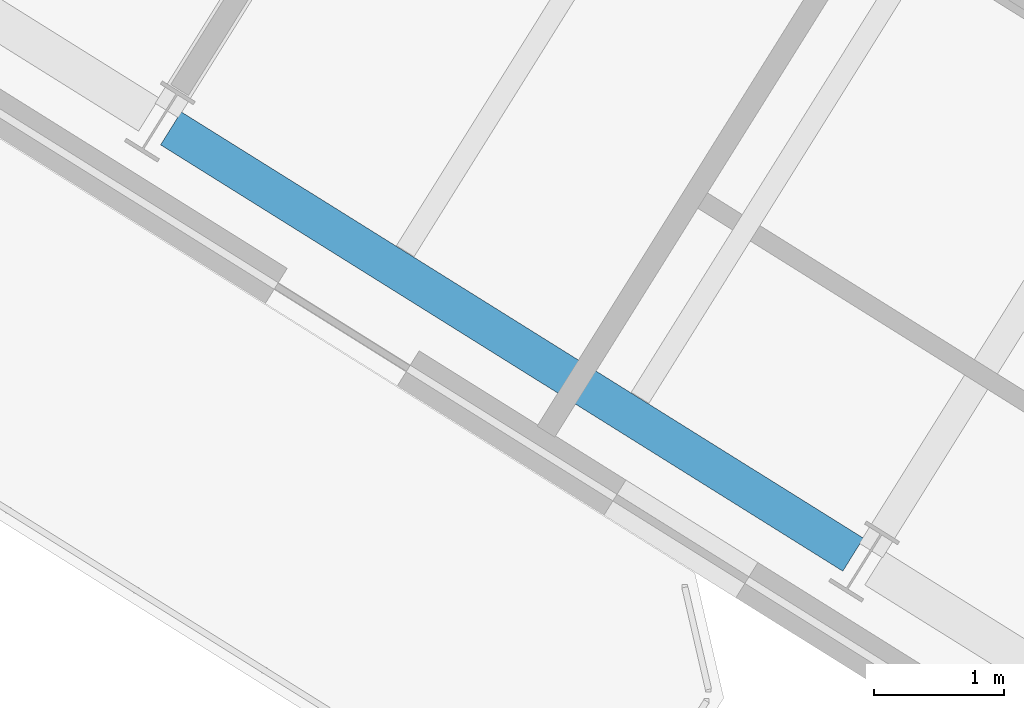
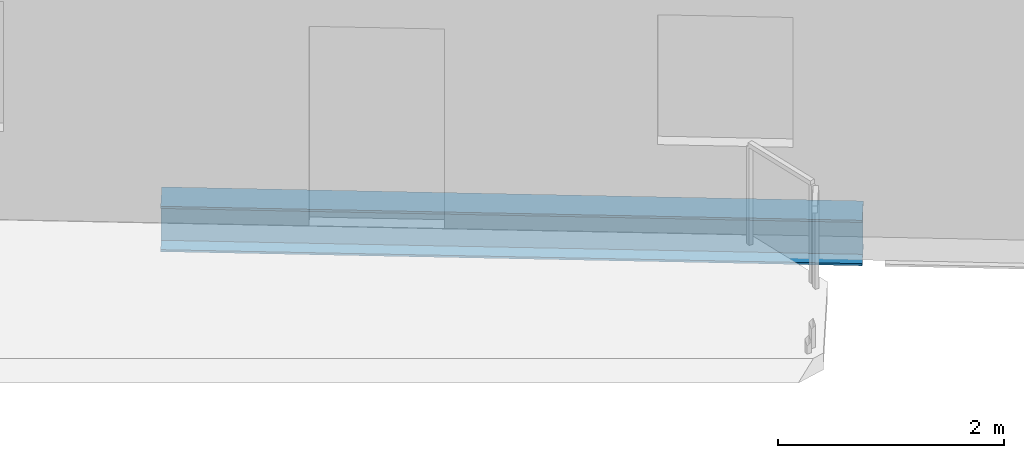
# One storey, part 5 of 29: 1 beam.
"""IFC4 building model written with IfcOpenShell, lengths in metres."""

from ifc_helpers import new_model, si_unit, direction, frame, origin, origin_2d, place, context, subcontext, project, spatial, i_section, extrude, source, transform, mapped, material, material_profile, profile_set, type_object, element, save


model = new_model("IFC4")

# Units and contexts
model_context = context("Model", 3, precision=1e-05, world=origin(), true_north=direction((0.0, 1.0)))
body_context = subcontext(model_context, "Body", "Model", "MODEL_VIEW")
ifc_project = project(units=[si_unit("LENGTHUNIT", "METRE"), si_unit("AREAUNIT", "SQUARE_METRE"), si_unit("VOLUMEUNIT", "CUBIC_METRE"), si_unit("PLANEANGLEUNIT", "RADIAN"), si_unit("MASSUNIT", "GRAM", prefix="KILO")], contexts=[model_context])

# Site, building, storey
site_placement = place(None, origin())
site = spatial("IfcSite", under=ifc_project, at=site_placement, CompositionType="ELEMENT")
building_placement = place(site_placement, origin())
building = spatial("IfcBuilding", under=site, at=building_placement, Name="Tlacorven Tower", CompositionType="ELEMENT")
storey_placement = place(building_placement, frame((0.0, 0.0, 158.699951171875)))
storey = spatial("IfcBuildingStorey", under=building, at=storey_placement, Name="L40", CompositionType="ELEMENT", Elevation=158.699951171875)

# Beam
ifc_material = material(Name="Steel S355J2", Category="steel")
ifc_material_profile = material_profile(ifc_material, i_section(OverallWidth=0.300048828125, OverallDepth=0.489990234375, WebThickness=0.011962890625, FlangeThickness=0.02294921875, at=origin_2d()), Name="HEA 500")
ifc_profile_set = profile_set([ifc_material_profile], Name="Steel S355J2")
beam_type = type_object("IfcBeamType", Name="BM-SPN-500", PredefinedType="SPANDREL", material=ifc_profile_set)
shared_shape = source(origin(), body_context, "Body", "SweptSolid", [
    extrude(i_section(OverallWidth=0.300048828125, OverallDepth=0.489990234375, WebThickness=0.011962890625, FlangeThickness=0.02294921875, at=origin_2d()), origin(), (0.0, 0.0, 1.0), 6.199951171875),
])
beam_placement = place(storey_placement, frame((18.82080078125, 13.6650390625, -0.494873046875), z_axis=(-0.848051394107, 0.529913986372, 0.0), x_axis=(-0.529913986372, -0.848051394107, 0.0)))
element("IfcBeam", 1, at=beam_placement, inside=storey, type_object=beam_type, Name="L40 beam BM-L40-WL4-3", PredefinedType="SPANDREL", context=body_context, shape_type="MappedRepresentation", body=[
    mapped(shared_shape, transform((0.0, 0.0, 0.0), scale=1.0)),
])

save(model, "model.ifc")
